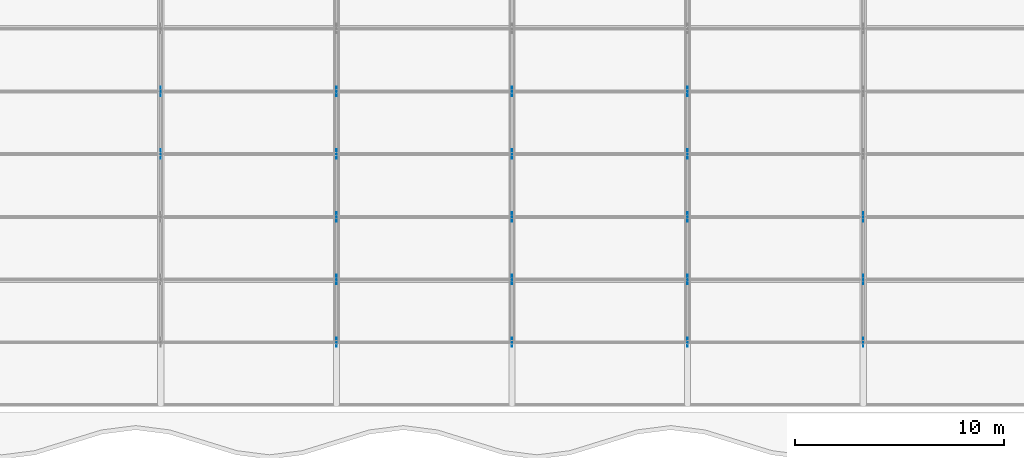
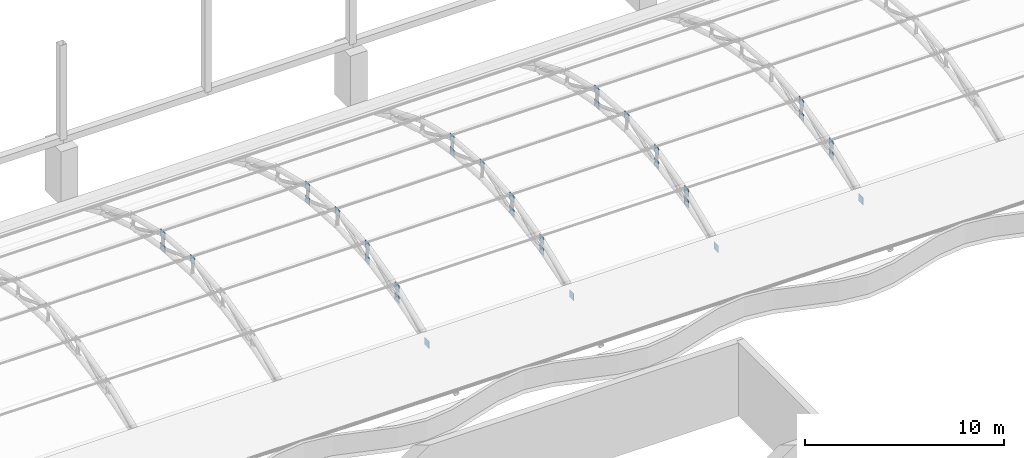
# One storey, part 140 of 163: 32 discrete accessories.
"""IFC4 building model written with IfcOpenShell, lengths in metres."""

from ifc_helpers import new_model, si_unit, direction, frame, origin, origin_2d, place, context, subcontext, project, spatial, rectangle, extrude, material, layer, layer_set, type_object, element, save


model = new_model("IFC4")

# Units and contexts
model_context = context("Model", 3, precision=1e-05, world=origin(), true_north=direction((0.0, 1.0)))
body_context = subcontext(model_context, "Body", "Model", "MODEL_VIEW")
ifc_project = project(units=[si_unit("LENGTHUNIT", "METRE"), si_unit("AREAUNIT", "SQUARE_METRE"), si_unit("VOLUMEUNIT", "CUBIC_METRE"), si_unit("PLANEANGLEUNIT", "RADIAN"), si_unit("MASSUNIT", "GRAM", prefix="KILO")], contexts=[model_context])

# Site, building, storey
site_placement = place(None, origin())
site = spatial("IfcSite", under=ifc_project, at=site_placement, CompositionType="ELEMENT")
building_placement = place(site_placement, origin())
building = spatial("IfcBuilding", under=site, at=building_placement, Name="Rain Tree Exposition and Congress Centre", CompositionType="ELEMENT")
storey_placement = place(building_placement, frame((0.0, 0.0, 10.5)))
storey = spatial("IfcBuildingStorey", under=building, at=storey_placement, Name="L02", CompositionType="ELEMENT", Elevation=10.5)

# Discrete accessories
ifc_material = material(Name="Steel plate S355J2", Category="steel")
ifc_layer = layer(ifc_material, 0.02001953125)
ifc_layer_set = layer_set([ifc_layer], Name="Steel plate S355J2")
discrete_accessory_type = type_object("IfcDiscreteAccessoryType", Name="Brace node plate 450x450x20", PredefinedType="BRACKET", material=ifc_layer_set)
for number, where, z_axis, x_axis, name in (
    (1, (193.199951171875, 87.60009765625, 3.80517578125), (0.0, 0.0, 1.0), (0.0, 1.0, 0.0), "Brace node plate 450"),
    (2, (193.199951171875, 90.60009765625, 2.71728515625), (0.0, 0.0, 1.0), (0.0, -1.0, 0.0), "Brace node plate 450"),
    (3, (193.199951171875, 90.60009765625, 3.5615234375), (0.0, 0.0, 1.0), (0.0, 1.0, 0.0), "Brace node plate 450"),
    (4, (201.60009765625, 78.60009765625, 1.21728515625), (0.0, 0.0, 1.0), (0.0, 1.0, 0.0), "Brace node plate 450"),
    (5, (201.60009765625, 81.60009765625, 2.830078125), (0.0, 0.0, 1.0), (0.0, -1.0, 0.0), "Brace node plate 450"),
    (6, (201.60009765625, 81.60009765625, 2.15478515625), (0.0, 0.0, 1.0), (0.0, 1.0, 0.0), "Brace node plate 450"),
    (7, (201.60009765625, 84.60009765625, 3.5615234375), (0.0, 0.0, 1.0), (0.0, -1.0, 0.0), "Brace node plate 450"),
    (8, (201.60009765625, 84.60009765625, 2.71728515625), (0.0, 0.0, 1.0), (0.0, 1.0, 0.0), "Brace node plate 450"),
    (9, (201.60009765625, 87.60009765625, 3.80517578125), (0.0, 0.0, 1.0), (0.0, 1.0, 0.0), "Brace node plate 450"),
    (10, (201.60009765625, 90.60009765625, 2.71728515625), (0.0, 0.0, 1.0), (0.0, -1.0, 0.0), "Brace node plate 450"),
    (11, (201.60009765625, 90.60009765625, 3.5615234375), (0.0, 0.0, 1.0), (0.0, 1.0, 0.0), "Brace node plate 450"),
    (12, (210.0, 78.60009765625, 1.21728515625), (0.0, 0.0, 1.0), (0.0, 1.0, 0.0), "Brace node plate 450"),
    (13, (210.0, 81.60009765625, 2.830078125), (0.0, 0.0, 1.0), (0.0, -1.0, 0.0), "Brace node plate 450"),
    (14, (210.0, 81.60009765625, 2.15478515625), (0.0, 0.0, 1.0), (0.0, 1.0, 0.0), "Brace node plate 450"),
    (15, (210.0, 84.60009765625, 3.5615234375), (0.0, 0.0, 1.0), (0.0, -1.0, 0.0), "Brace node plate 450"),
    (16, (210.0, 84.60009765625, 2.71728515625), (0.0, 0.0, 1.0), (0.0, 1.0, 0.0), "Brace node plate 450"),
    (17, (210.0, 87.60009765625, 3.80517578125), (0.0, 0.0, 1.0), (0.0, 1.0, 0.0), "Brace node plate 450"),
    (18, (210.0, 90.60009765625, 2.71728515625), (0.0, 0.0, 1.0), (0.0, -1.0, 0.0), "Brace node plate 450"),
    (19, (210.0, 90.60009765625, 3.5615234375), (0.0, 0.0, 1.0), (0.0, 1.0, 0.0), "Brace node plate 450"),
    (20, (218.39990234375, 78.60009765625, 1.21728515625), (0.0, 0.0, 1.0), (0.0, 1.0, 0.0), "Brace node plate 450"),
    (21, (218.39990234375, 81.60009765625, 2.830078125), (0.0, 0.0, 1.0), (0.0, -1.0, 0.0), "Brace node plate 450"),
    (22, (218.39990234375, 81.60009765625, 2.15478515625), (0.0, 0.0, 1.0), (0.0, 1.0, 0.0), "Brace node plate 450"),
    (23, (218.39990234375, 84.60009765625, 3.5615234375), (0.0, 0.0, 1.0), (0.0, -1.0, 0.0), "Brace node plate 450"),
    (24, (218.39990234375, 84.60009765625, 2.71728515625), (0.0, 0.0, 1.0), (0.0, 1.0, 0.0), "Brace node plate 450"),
    (25, (218.39990234375, 87.60009765625, 3.80517578125), (0.0, 0.0, 1.0), (0.0, 1.0, 0.0), "Brace node plate 450"),
    (26, (218.39990234375, 90.60009765625, 2.71728515625), (0.0, 0.0, 1.0), (0.0, -1.0, 0.0), "Brace node plate 450"),
    (27, (218.39990234375, 90.60009765625, 3.5615234375), (0.0, 0.0, 1.0), (0.0, 1.0, 0.0), "Brace node plate 450"),
    (28, (226.800048828125, 78.60009765625, 1.21728515625), (0.0, 0.0, 1.0), (0.0, 1.0, 0.0), "Brace node plate 450"),
    (29, (226.800048828125, 81.60009765625, 2.830078125), (0.0, 0.0, 1.0), (0.0, -1.0, 0.0), "Brace node plate 450"),
    (30, (226.800048828125, 81.60009765625, 2.15478515625), (0.0, 0.0, 1.0), (0.0, 1.0, 0.0), "Brace node plate 450"),
    (31, (226.800048828125, 84.60009765625, 3.5615234375), (0.0, 0.0, 1.0), (0.0, -1.0, 0.0), "Brace node plate 450"),
    (32, (226.800048828125, 84.60009765625, 2.71728515625), (0.0, 0.0, 1.0), (0.0, 1.0, 0.0), "Brace node plate 450"),
):
    element("IfcDiscreteAccessory", number, at=place(storey_placement, frame(where, z_axis=z_axis, x_axis=x_axis)), inside=storey, type_object=discrete_accessory_type, Name=name, PredefinedType="BRACKET", context=body_context, shape_type="SweptSolid", body=[
        extrude(rectangle(XDim=0.449951171875, YDim=0.02001953125, at=origin_2d()), origin(), (0.0, 0.0, 1.0), 0.449951171875),
    ])

save(model, "model.ifc")
